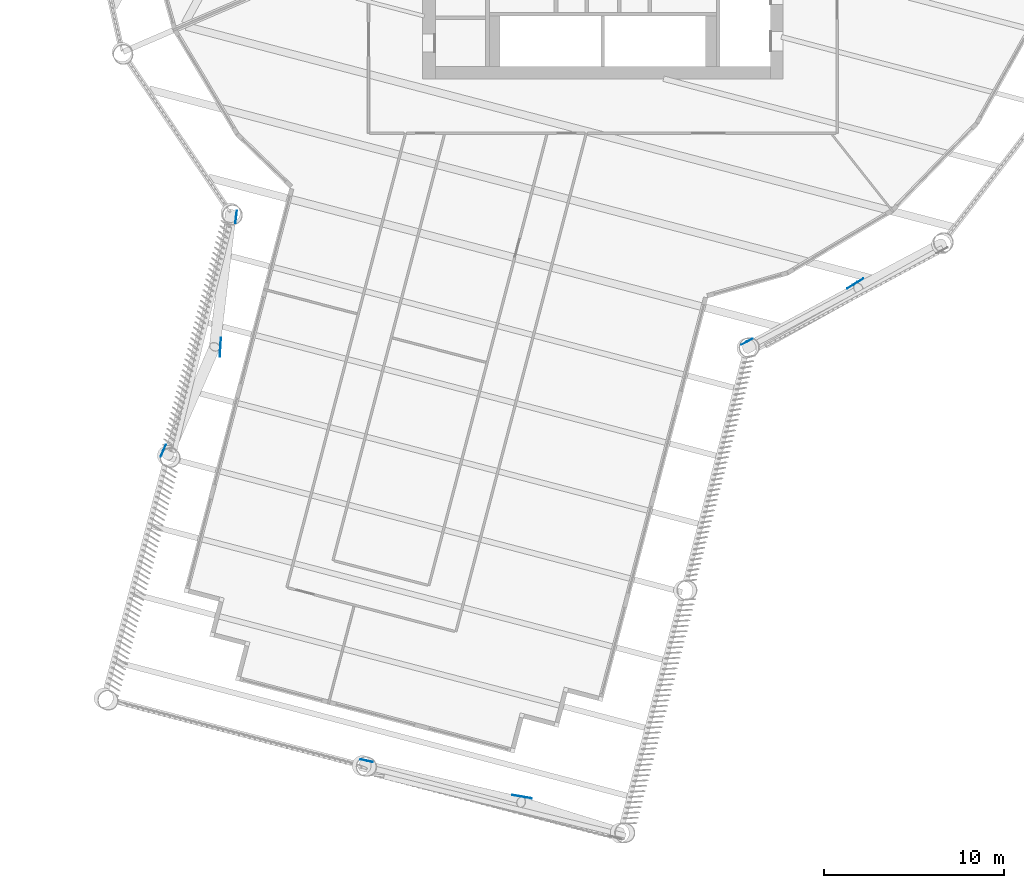
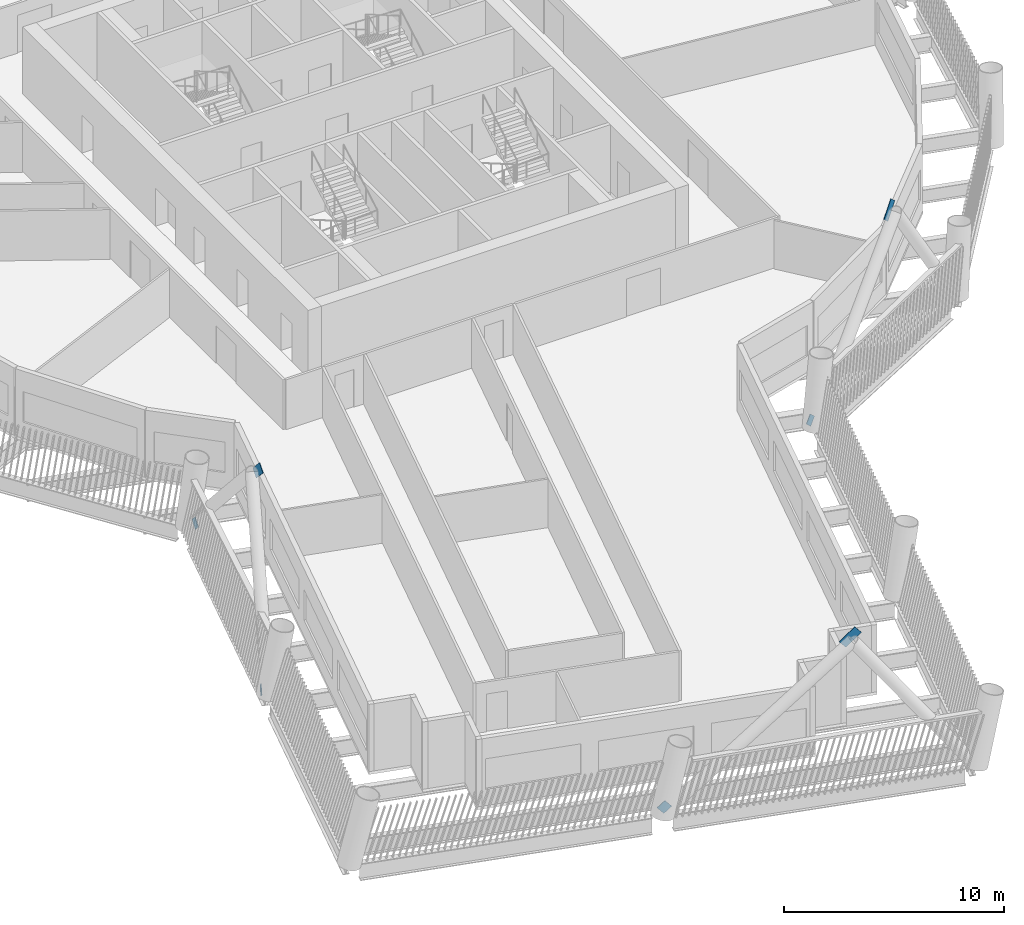
# One storey, part 8 of 24: 7 discrete accessories.
"""IFC4 building model written with IfcOpenShell, lengths in metres."""

from ifc_helpers import new_model, si_unit, direction, frame, origin, origin_2d, place, context, subcontext, project, spatial, rectangle, extrude, material, material_profile, profile_set, type_object, element, save


model = new_model("IFC4")

# Units and contexts
model_context = context("Model", 3, precision=1e-05, world=origin(), true_north=direction((0.0, 1.0)))
body_context = subcontext(model_context, "Body", "Model", "MODEL_VIEW")
ifc_project = project(units=[si_unit("LENGTHUNIT", "METRE"), si_unit("AREAUNIT", "SQUARE_METRE"), si_unit("VOLUMEUNIT", "CUBIC_METRE"), si_unit("PLANEANGLEUNIT", "RADIAN"), si_unit("MASSUNIT", "GRAM", prefix="KILO")], contexts=[model_context])

# Site, building, storey
site_placement = place(None, origin())
site = spatial("IfcSite", under=ifc_project, at=site_placement, CompositionType="ELEMENT")
building_placement = place(site_placement, origin())
building = spatial("IfcBuilding", under=site, at=building_placement, Name="Tarsis Ring Headquarters", CompositionType="ELEMENT")
storey_placement = place(building_placement, frame((0.0, 0.0, 163.199951171875)))
storey = spatial("IfcBuildingStorey", under=building, at=storey_placement, Name="L37", CompositionType="ELEMENT", Elevation=163.199951171875)

# Discrete accessories
ifc_material = material(Name="Structural steel S355", Category="steel")
ifc_material_profile = material_profile(ifc_material, rectangle(XDim=0.02490234375, YDim=0.5, at=origin_2d()), Name="PL 25x500")
ifc_profile_set = profile_set([ifc_material_profile], Name="Structural steel S355")
discrete_accessory_type = type_object("IfcDiscreteAccessoryType", Name="Gusset plate Exo brace 25", PredefinedType="BRACKET", material=ifc_profile_set)
discrete_accessory_1_placement = place(storey_placement, frame((-20.3291015625, -20.47412109375, 0.0), z_axis=(-0.083018966754, -0.686615689739, 0.722265010757), x_axis=(0.992769522136, -0.120036144213, 0.0)))
element("IfcDiscreteAccessory", 1, at=discrete_accessory_1_placement, inside=storey, type_object=discrete_accessory_type, Name="Gusset plate GP5", PredefinedType="BRACKET", context=body_context, shape_type="SweptSolid", body=[
    extrude(rectangle(XDim=0.02490234375, YDim=0.5, at=origin_2d()), origin(), (0.0, 0.0, 1.0), 0.5),
])
discrete_accessory_2_placement = place(storey_placement, frame((-21.20166015625, -27.5244140625, 7.439697265625), z_axis=(-0.041513957343, -0.691817889127, 0.720877659267), x_axis=(0.998204424139, -0.059899312426, 0.0)))
element("IfcDiscreteAccessory", 2, at=discrete_accessory_2_placement, inside=storey, type_object=discrete_accessory_type, Name="Gusset plate GP5", PredefinedType="BRACKET", context=body_context, shape_type="SweptSolid", body=[
    extrude(rectangle(XDim=0.02490234375, YDim=0.5, at=origin_2d()), origin(), (0.0, 0.0, 1.0), 0.999755859375),
])
discrete_accessory_3_placement = place(storey_placement, frame((-24.45361328125, -33.75927734375, 0.0), z_axis=(0.257253632947, 0.591146393736, 0.764438689175), x_axis=(-0.916937590533, 0.39903064427, 0.0)))
element("IfcDiscreteAccessory", 3, at=discrete_accessory_3_placement, inside=storey, type_object=discrete_accessory_type, Name="Gusset plate GP5", PredefinedType="BRACKET", context=body_context, shape_type="SweptSolid", body=[
    extrude(rectangle(XDim=0.02490234375, YDim=0.5, at=origin_2d()), origin(), (0.0, 0.0, 1.0), 0.500244140625),
])
discrete_accessory_4_placement = place(storey_placement, frame((-13.291259765625, -50.77197265625, 0.0), z_axis=(0.738113296272, -0.170859559322, 0.652683516611), x_axis=(0.225518272727, 0.97423893818, 0.0)))
element("IfcDiscreteAccessory", 4, at=discrete_accessory_4_placement, inside=storey, type_object=discrete_accessory_type, Name="Gusset plate GP5", PredefinedType="BRACKET", context=body_context, shape_type="SweptSolid", body=[
    extrude(rectangle(XDim=0.02490234375, YDim=0.5, at=origin_2d()), origin(), (0.0, 0.0, 1.0), 0.5),
])
discrete_accessory_5_placement = place(storey_placement, frame((-4.85693359375, -52.74560546875, 7.473876953125), z_axis=(0.746903527503, -0.128431270175, 0.652411319218), x_axis=(0.169464558485, 0.985536282142, 0.0)))
element("IfcDiscreteAccessory", 5, at=discrete_accessory_5_placement, inside=storey, type_object=discrete_accessory_type, Name="Gusset plate GP5", PredefinedType="BRACKET", context=body_context, shape_type="SweptSolid", body=[
    extrude(rectangle(XDim=0.02490234375, YDim=0.5, at=origin_2d()), origin(), (0.0, 0.0, 1.0), 1.0),
])
discrete_accessory_6_placement = place(storey_placement, frame((7.842041015625, -27.64794921875, 0.0), z_axis=(0.588806685771, 0.316861972691, 0.743575938996), x_axis=(-0.473882096491, 0.880588302571, 0.0)))
element("IfcDiscreteAccessory", 6, at=discrete_accessory_6_placement, inside=storey, type_object=discrete_accessory_type, Name="Gusset plate GP5", PredefinedType="BRACKET", context=body_context, shape_type="SweptSolid", body=[
    extrude(rectangle(XDim=0.02490234375, YDim=0.5, at=origin_2d()), origin(), (0.0, 0.0, 1.0), 0.5),
])
discrete_accessory_7_placement = place(storey_placement, frame((13.721435546875, -24.510986328125, 7.42822265625), z_axis=(0.569480207647, 0.350524465572, 0.743521951346), x_axis=(-0.524178888538, 0.851608180334, 0.0)))
element("IfcDiscreteAccessory", 7, at=discrete_accessory_7_placement, inside=storey, type_object=discrete_accessory_type, Name="Gusset plate GP5", PredefinedType="BRACKET", context=body_context, shape_type="SweptSolid", body=[
    extrude(rectangle(XDim=0.02490234375, YDim=0.5, at=origin_2d()), origin(), (0.0, 0.0, 1.0), 1.000244140625),
])

save(model, "model.ifc")
